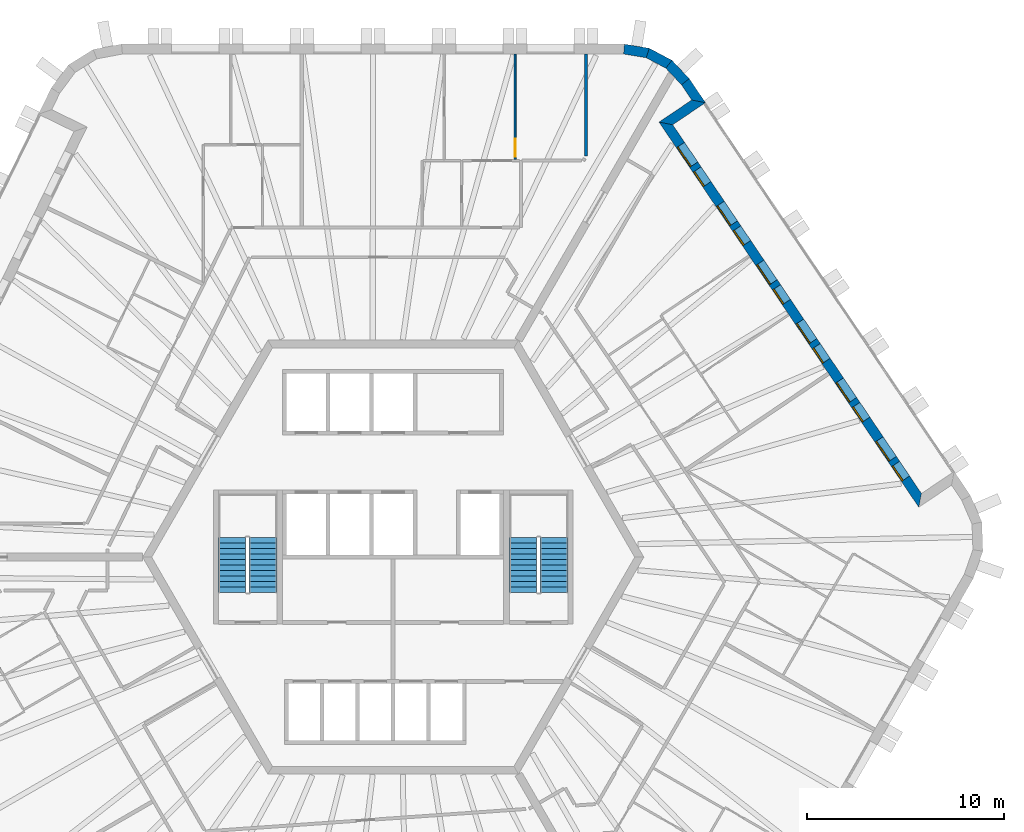
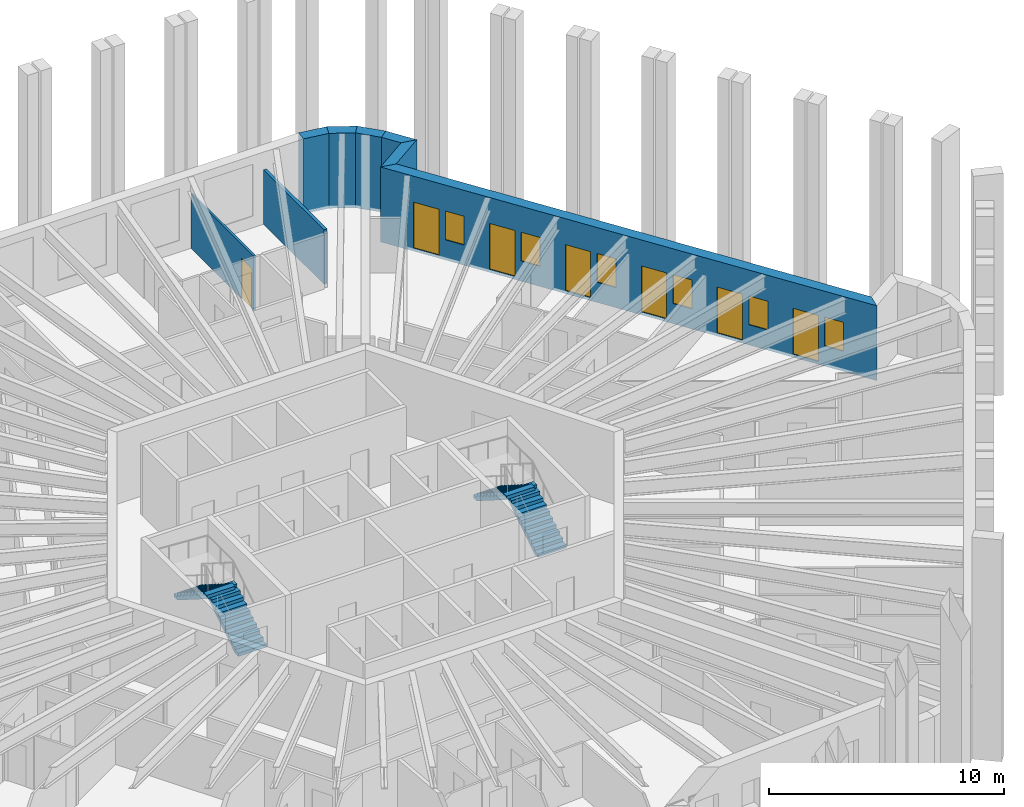
# One storey, part 11 of 13: 8 walls, 7 doors, 6 windows, 4 stair flights, 13 openings, 2 elements without a shape of their own.
"""IFC4 building model written with IfcOpenShell, lengths in metres."""

from ifc_helpers import new_model, si_unit, direction, frame, frame_2d, origin, place, context, subcontext, project, spatial, polyline, rectangle, outline, extrude, material, layer, layer_set, type_object, element, fill, aggregate, save


model = new_model("IFC4")

# Units and contexts
model_context = context("Model", 3, precision=1e-05, world=origin(), true_north=direction((0.0, 1.0)))
body_context = subcontext(model_context, "Body", "Model", "MODEL_VIEW")
ifc_project = project(units=[si_unit("LENGTHUNIT", "METRE"), si_unit("AREAUNIT", "SQUARE_METRE"), si_unit("VOLUMEUNIT", "CUBIC_METRE"), si_unit("PLANEANGLEUNIT", "RADIAN"), si_unit("MASSUNIT", "GRAM", prefix="KILO")], contexts=[model_context])

# Site, building, storey
site_placement = place(None, origin())
site = spatial("IfcSite", under=ifc_project, at=site_placement, CompositionType="ELEMENT")
building_placement = place(site_placement, origin())
building = spatial("IfcBuilding", under=site, at=building_placement, Name="Tarnside Tower", CompositionType="ELEMENT")
storey_placement = place(building_placement, frame((0.0, 0.0, 326.39990234375)))
storey = spatial("IfcBuildingStorey", under=building, at=storey_placement, Name="L79", CompositionType="ELEMENT", Elevation=326.39990234375)

# Wall
ifc_material_1 = material(Name="Gypsum board partition on steel studs", Category="steel")
ifc_layer_1 = layer(ifc_material_1, 0.14990234375)
ifc_layer_set_1 = layer_set([ifc_layer_1], Name="Corridor wall 150 EI 60")
wall_type_1 = type_object("IfcWallType", Name="Corridor wall 150 EI 60", PredefinedType="PARTITIONING", material=ifc_layer_set_1)
wall_1_placement = place(storey_placement, frame((9.775146484375, 25.5, 0.0), z_axis=(0.0, 0.0, 1.0), x_axis=(0.0, -1.0, 0.0)))
element("IfcWall", 1, at=wall_1_placement, inside=storey, type_object=wall_type_1, Name="Corridor wall 26005", PredefinedType="PARTITIONING", context=body_context, shape_type="SweptSolid", body=[
    extrude(rectangle(XDim=5.1689453125, YDim=0.14990234375, at=frame_2d((2.58447265625, 0.0))), origin(), (0.0, 0.0, 1.0), 2.837890625),
])

# Wall, openings, doors, windows
ifc_material_2 = material(Name="Dark zinc cladding")
ifc_layer_2 = layer(ifc_material_2, 0.10205078125)
ifc_material_3 = material(Name="Concrete C60/75 precast", Category="concrete")
ifc_layer_3 = layer(ifc_material_3, 0.298095703125)
ifc_material_4 = material(Name="Mineral wool insulation")
ifc_layer_4 = layer(ifc_material_4, 0.10009765625)
ifc_layer_set_2 = layer_set([ifc_layer_2, ifc_layer_3, ifc_layer_4], Name="Loggia wall 500 zinc faced")
wall_type_2 = type_object("IfcWallType", Name="Loggia wall 500 zinc faced", PredefinedType="SOLIDWALL", material=ifc_layer_set_2)
wall_2_placement = place(storey_placement, frame((26.705810546875, 2.87890625, -0.14990234375), z_axis=(0.0, 0.0, 1.0), x_axis=(-0.559197891507, 0.829034208061, 0.0)))
wall_2 = element("IfcWall", 2, at=wall_2_placement, inside=storey, type_object=wall_type_2, Name="Tube wall L79 F6 back 30", PredefinedType="SOLIDWALL", context=body_context, shape_type="SweptSolid", body=[
    extrude(outline(polyline([(0.25, -0.25), (22.794677734375, -0.25), (23.294677734375, 0.25), (-0.25, 0.25), (0.25, -0.25)])), origin(), (0.0, 0.0, 1.0), 3.89990234375),
])
opening_1_placement = place(wall_2_placement, frame((1.322509765625, 0.0, 1.050048828125)))
opening_1 = element("IfcOpeningElement", 3, at=opening_1_placement, cuts=wall_2, Name="Opening WL500", PredefinedType="OPENING", context=body_context, shape_type="SweptSolid", body=[
    extrude(rectangle(XDim=0.89990234375, YDim=1.5, at=frame_2d((0.449951171875, 0.75))), frame((0.0, 0.260009765625, 0.0), z_axis=(0.0, -1.0, 0.0), x_axis=(1.0, 0.0, 0.0)), (0.0, 0.0, 1.0), 0.52001953125),
])
opening_2_placement = place(wall_2_placement, frame((2.5224609375, 0.0, 0.14990234375)))
opening_2 = element("IfcOpeningElement", 4, at=opening_2_placement, cuts=wall_2, Name="Opening DB500", PredefinedType="OPENING", context=body_context, shape_type="SweptSolid", body=[
    extrude(rectangle(XDim=1.199951171875, YDim=2.39990234375, at=frame_2d((0.60009765625, 1.199951171875))), frame((0.0, 0.260009765625, 0.0), z_axis=(0.0, -1.0, 0.0), x_axis=(1.0, 0.0, 0.0)), (0.0, 0.0, 1.0), 0.52001953125),
])
opening_3_placement = place(wall_2_placement, frame((4.92236328125, 0.0, 1.050048828125)))
opening_3 = element("IfcOpeningElement", 5, at=opening_3_placement, cuts=wall_2, Name="Opening WL500", PredefinedType="OPENING", context=body_context, shape_type="SweptSolid", body=[
    extrude(rectangle(XDim=0.89990234375, YDim=1.5, at=frame_2d((0.449951171875, 0.75))), frame((0.0, 0.260009765625, 0.0), z_axis=(0.0, -1.0, 0.0), x_axis=(1.0, 0.0, 0.0)), (0.0, 0.0, 1.0), 0.52001953125),
])
opening_4_placement = place(wall_2_placement, frame((6.122314453125, 0.0, 0.14990234375)))
opening_4 = element("IfcOpeningElement", 6, at=opening_4_placement, cuts=wall_2, Name="Opening DB500", PredefinedType="OPENING", context=body_context, shape_type="SweptSolid", body=[
    extrude(rectangle(XDim=1.199951171875, YDim=2.39990234375, at=frame_2d((0.60009765625, 1.199951171875))), frame((0.0, 0.260009765625, 0.0), z_axis=(0.0, -1.0, 0.0), x_axis=(1.0, 0.0, 0.0)), (0.0, 0.0, 1.0), 0.52001953125),
])
opening_5_placement = place(wall_2_placement, frame((8.5224609375, 0.0, 1.050048828125)))
opening_5 = element("IfcOpeningElement", 7, at=opening_5_placement, cuts=wall_2, Name="Opening WL500", PredefinedType="OPENING", context=body_context, shape_type="SweptSolid", body=[
    extrude(rectangle(XDim=0.89990234375, YDim=1.5, at=frame_2d((0.449951171875, 0.75))), frame((0.0, 0.260009765625, 0.0), z_axis=(0.0, -1.0, 0.0), x_axis=(1.0, 0.0, 0.0)), (0.0, 0.0, 1.0), 0.52001953125),
])
opening_6_placement = place(wall_2_placement, frame((9.722412109375, 0.0, 0.14990234375)))
opening_6 = element("IfcOpeningElement", 8, at=opening_6_placement, cuts=wall_2, Name="Opening DB500", PredefinedType="OPENING", context=body_context, shape_type="SweptSolid", body=[
    extrude(rectangle(XDim=1.199951171875, YDim=2.39990234375, at=frame_2d((0.60009765625, 1.199951171875))), frame((0.0, 0.260009765625, 0.0), z_axis=(0.0, -1.0, 0.0), x_axis=(1.0, 0.0, 0.0)), (0.0, 0.0, 1.0), 0.52001953125),
])
opening_7_placement = place(wall_2_placement, frame((12.122314453125, 0.0, 1.050048828125)))
opening_7 = element("IfcOpeningElement", 9, at=opening_7_placement, cuts=wall_2, Name="Opening WL500", PredefinedType="OPENING", context=body_context, shape_type="SweptSolid", body=[
    extrude(rectangle(XDim=0.89990234375, YDim=1.5, at=frame_2d((0.449951171875, 0.75))), frame((0.0, 0.260009765625, 0.0), z_axis=(0.0, -1.0, 0.0), x_axis=(1.0, 0.0, 0.0)), (0.0, 0.0, 1.0), 0.52001953125),
])
opening_8_placement = place(wall_2_placement, frame((13.322509765625, 0.0, 0.14990234375)))
opening_8 = element("IfcOpeningElement", 10, at=opening_8_placement, cuts=wall_2, Name="Opening DB500", PredefinedType="OPENING", context=body_context, shape_type="SweptSolid", body=[
    extrude(rectangle(XDim=1.199951171875, YDim=2.39990234375, at=frame_2d((0.60009765625, 1.199951171875))), frame((0.0, 0.260009765625, 0.0), z_axis=(0.0, -1.0, 0.0), x_axis=(1.0, 0.0, 0.0)), (0.0, 0.0, 1.0), 0.52001953125),
])
opening_9_placement = place(wall_2_placement, frame((15.722412109375, 0.0, 1.050048828125)))
opening_9 = element("IfcOpeningElement", 11, at=opening_9_placement, cuts=wall_2, Name="Opening WL500", PredefinedType="OPENING", context=body_context, shape_type="SweptSolid", body=[
    extrude(rectangle(XDim=0.89990234375, YDim=1.5, at=frame_2d((0.449951171875, 0.75))), frame((0.0, 0.260009765625, 0.0), z_axis=(0.0, -1.0, 0.0), x_axis=(1.0, 0.0, 0.0)), (0.0, 0.0, 1.0), 0.52001953125),
])
opening_10_placement = place(wall_2_placement, frame((16.92236328125, 0.0, 0.14990234375)))
opening_10 = element("IfcOpeningElement", 12, at=opening_10_placement, cuts=wall_2, Name="Opening DB500", PredefinedType="OPENING", context=body_context, shape_type="SweptSolid", body=[
    extrude(rectangle(XDim=1.199951171875, YDim=2.39990234375, at=frame_2d((0.60009765625, 1.199951171875))), frame((0.0, 0.260009765625, 0.0), z_axis=(0.0, -1.0, 0.0), x_axis=(1.0, 0.0, 0.0)), (0.0, 0.0, 1.0), 0.52001953125),
])
opening_11_placement = place(wall_2_placement, frame((19.322509765625, 0.0, 1.050048828125)))
opening_11 = element("IfcOpeningElement", 13, at=opening_11_placement, cuts=wall_2, Name="Opening WL500", PredefinedType="OPENING", context=body_context, shape_type="SweptSolid", body=[
    extrude(rectangle(XDim=0.89990234375, YDim=1.5, at=frame_2d((0.449951171875, 0.75))), frame((0.0, 0.260009765625, 0.0), z_axis=(0.0, -1.0, 0.0), x_axis=(1.0, 0.0, 0.0)), (0.0, 0.0, 1.0), 0.52001953125),
])
opening_12_placement = place(wall_2_placement, frame((20.5224609375, 0.0, 0.14990234375)))
opening_12 = element("IfcOpeningElement", 14, at=opening_12_placement, cuts=wall_2, Name="Opening DB500", PredefinedType="OPENING", context=body_context, shape_type="SweptSolid", body=[
    extrude(rectangle(XDim=1.199951171875, YDim=2.39990234375, at=frame_2d((0.60009765625, 1.199951171875))), frame((0.0, 0.260009765625, 0.0), z_axis=(0.0, -1.0, 0.0), x_axis=(1.0, 0.0, 0.0)), (0.0, 0.0, 1.0), 0.52001953125),
])
ifc_material_5 = material(Name="Aluminium-framed double glazing", Category="aluminium")
door_type_1 = type_object("IfcDoorType", Name="Balcony sliding door 1200 x 2400 in 500 wall", OperationType="SLIDING_TO_LEFT", PredefinedType="DOOR", material=ifc_material_5)
door_1_placement = place(opening_2_placement, frame((0.0, 0.1748046875, 0.0)))
door_1 = element("IfcDoor", 15, at=door_1_placement, inside=storey, type_object=door_type_1, Name="E.BD.L79.F6.00", OperationType="SLIDING_TO_LEFT", OverallHeight=2.39990234375, OverallWidth=1.199951171875, PredefinedType="DOOR", context=body_context, shape_type="SweptSolid", body=[
    extrude(rectangle(XDim=1.199951171875, YDim=2.39990234375, at=frame_2d((0.60009765625, 1.199951171875))), frame((0.0, 0.02490234375, 0.0), z_axis=(0.0, -1.0, 0.0), x_axis=(1.0, 0.0, 0.0)), (0.0, 0.0, 1.0), 0.050048828125),
])
fill(opening_2, door_1)
door_2_placement = place(opening_4_placement, frame((0.0, 0.1748046875, 0.0)))
door_2 = element("IfcDoor", 16, at=door_2_placement, inside=storey, type_object=door_type_1, Name="E.BD.L79.F6.01", OperationType="SLIDING_TO_LEFT", OverallHeight=2.39990234375, OverallWidth=1.199951171875, PredefinedType="DOOR", context=body_context, shape_type="SweptSolid", body=[
    extrude(rectangle(XDim=1.199951171875, YDim=2.39990234375, at=frame_2d((0.60009765625, 1.199951171875))), frame((0.0, 0.02490234375, 0.0), z_axis=(0.0, -1.0, 0.0), x_axis=(1.0, 0.0, 0.0)), (0.0, 0.0, 1.0), 0.050048828125),
])
fill(opening_4, door_2)
door_3_placement = place(opening_6_placement, frame((0.0, 0.1748046875, 0.0)))
door_3 = element("IfcDoor", 17, at=door_3_placement, inside=storey, type_object=door_type_1, Name="E.BD.L79.F6.02", OperationType="SLIDING_TO_LEFT", OverallHeight=2.39990234375, OverallWidth=1.199951171875, PredefinedType="DOOR", context=body_context, shape_type="SweptSolid", body=[
    extrude(rectangle(XDim=1.199951171875, YDim=2.39990234375, at=frame_2d((0.60009765625, 1.199951171875))), frame((0.0, 0.02490234375, 0.0), z_axis=(0.0, -1.0, 0.0), x_axis=(1.0, 0.0, 0.0)), (0.0, 0.0, 1.0), 0.050048828125),
])
fill(opening_6, door_3)
door_4_placement = place(opening_8_placement, frame((0.0, 0.1748046875, 0.0)))
door_4 = element("IfcDoor", 18, at=door_4_placement, inside=storey, type_object=door_type_1, Name="E.BD.L79.F6.03", OperationType="SLIDING_TO_LEFT", OverallHeight=2.39990234375, OverallWidth=1.199951171875, PredefinedType="DOOR", context=body_context, shape_type="SweptSolid", body=[
    extrude(rectangle(XDim=1.199951171875, YDim=2.39990234375, at=frame_2d((0.60009765625, 1.199951171875))), frame((0.0, 0.02490234375, 0.0), z_axis=(0.0, -1.0, 0.0), x_axis=(1.0, 0.0, 0.0)), (0.0, 0.0, 1.0), 0.050048828125),
])
fill(opening_8, door_4)
door_5_placement = place(opening_10_placement, frame((0.0, 0.1748046875, 0.0)))
door_5 = element("IfcDoor", 19, at=door_5_placement, inside=storey, type_object=door_type_1, Name="E.BD.L79.F6.04", OperationType="SLIDING_TO_LEFT", OverallHeight=2.39990234375, OverallWidth=1.199951171875, PredefinedType="DOOR", context=body_context, shape_type="SweptSolid", body=[
    extrude(rectangle(XDim=1.199951171875, YDim=2.39990234375, at=frame_2d((0.60009765625, 1.199951171875))), frame((0.0, 0.02490234375, 0.0), z_axis=(0.0, -1.0, 0.0), x_axis=(1.0, 0.0, 0.0)), (0.0, 0.0, 1.0), 0.050048828125),
])
fill(opening_10, door_5)
door_6_placement = place(opening_12_placement, frame((0.0, 0.1748046875, 0.0)))
door_6 = element("IfcDoor", 20, at=door_6_placement, inside=storey, type_object=door_type_1, Name="E.BD.L79.F6.05", OperationType="SLIDING_TO_LEFT", OverallHeight=2.39990234375, OverallWidth=1.199951171875, PredefinedType="DOOR", context=body_context, shape_type="SweptSolid", body=[
    extrude(rectangle(XDim=1.199951171875, YDim=2.39990234375, at=frame_2d((0.60009765625, 1.199951171875))), frame((0.0, 0.02490234375, 0.0), z_axis=(0.0, -1.0, 0.0), x_axis=(1.0, 0.0, 0.0)), (0.0, 0.0, 1.0), 0.050048828125),
])
fill(opening_12, door_6)
window_type = type_object("IfcWindowType", Name="Loggia window 900 x 1500 in 500 wall", PartitioningType="SINGLE_PANEL", PredefinedType="WINDOW", material=ifc_material_5)
window_1_placement = place(opening_1_placement, frame((0.0, 0.179931640625, 0.0)))
window_1 = element("IfcWindow", 21, at=window_1_placement, inside=storey, type_object=window_type, Name="E.LW.L79.F6.00", OverallHeight=1.5, OverallWidth=0.89990234375, PartitioningType="SINGLE_PANEL", PredefinedType="WINDOW", context=body_context, shape_type="SweptSolid", body=[
    extrude(rectangle(XDim=0.89990234375, YDim=1.5, at=frame_2d((0.449951171875, 0.75))), frame((0.0, 0.030029296875, 0.0), z_axis=(0.0, -1.0, 0.0), x_axis=(1.0, 0.0, 0.0)), (0.0, 0.0, 1.0), 0.06005859375),
])
fill(opening_1, window_1)
window_2_placement = place(opening_3_placement, frame((0.0, 0.179931640625, 0.0)))
window_2 = element("IfcWindow", 22, at=window_2_placement, inside=storey, type_object=window_type, Name="E.LW.L79.F6.01", OverallHeight=1.5, OverallWidth=0.89990234375, PartitioningType="SINGLE_PANEL", PredefinedType="WINDOW", context=body_context, shape_type="SweptSolid", body=[
    extrude(rectangle(XDim=0.89990234375, YDim=1.5, at=frame_2d((0.449951171875, 0.75))), frame((0.0, 0.030029296875, 0.0), z_axis=(0.0, -1.0, 0.0), x_axis=(1.0, 0.0, 0.0)), (0.0, 0.0, 1.0), 0.06005859375),
])
fill(opening_3, window_2)
window_3_placement = place(opening_5_placement, frame((0.0, 0.179931640625, 0.0)))
window_3 = element("IfcWindow", 23, at=window_3_placement, inside=storey, type_object=window_type, Name="E.LW.L79.F6.02", OverallHeight=1.5, OverallWidth=0.89990234375, PartitioningType="SINGLE_PANEL", PredefinedType="WINDOW", context=body_context, shape_type="SweptSolid", body=[
    extrude(rectangle(XDim=0.89990234375, YDim=1.5, at=frame_2d((0.449951171875, 0.75))), frame((0.0, 0.030029296875, 0.0), z_axis=(0.0, -1.0, 0.0), x_axis=(1.0, 0.0, 0.0)), (0.0, 0.0, 1.0), 0.06005859375),
])
fill(opening_5, window_3)
window_4_placement = place(opening_7_placement, frame((0.0, 0.179931640625, 0.0)))
window_4 = element("IfcWindow", 24, at=window_4_placement, inside=storey, type_object=window_type, Name="E.LW.L79.F6.03", OverallHeight=1.5, OverallWidth=0.89990234375, PartitioningType="SINGLE_PANEL", PredefinedType="WINDOW", context=body_context, shape_type="SweptSolid", body=[
    extrude(rectangle(XDim=0.89990234375, YDim=1.5, at=frame_2d((0.449951171875, 0.75))), frame((0.0, 0.030029296875, 0.0), z_axis=(0.0, -1.0, 0.0), x_axis=(1.0, 0.0, 0.0)), (0.0, 0.0, 1.0), 0.06005859375),
])
fill(opening_7, window_4)
window_5_placement = place(opening_9_placement, frame((0.0, 0.179931640625, 0.0)))
window_5 = element("IfcWindow", 25, at=window_5_placement, inside=storey, type_object=window_type, Name="E.LW.L79.F6.04", OverallHeight=1.5, OverallWidth=0.89990234375, PartitioningType="SINGLE_PANEL", PredefinedType="WINDOW", context=body_context, shape_type="SweptSolid", body=[
    extrude(rectangle(XDim=0.89990234375, YDim=1.5, at=frame_2d((0.449951171875, 0.75))), frame((0.0, 0.030029296875, 0.0), z_axis=(0.0, -1.0, 0.0), x_axis=(1.0, 0.0, 0.0)), (0.0, 0.0, 1.0), 0.06005859375),
])
fill(opening_9, window_5)
window_6_placement = place(opening_11_placement, frame((0.0, 0.179931640625, 0.0)))
window_6 = element("IfcWindow", 26, at=window_6_placement, inside=storey, type_object=window_type, Name="E.LW.L79.F6.05", OverallHeight=1.5, OverallWidth=0.89990234375, PartitioningType="SINGLE_PANEL", PredefinedType="WINDOW", context=body_context, shape_type="SweptSolid", body=[
    extrude(rectangle(XDim=0.89990234375, YDim=1.5, at=frame_2d((0.449951171875, 0.75))), frame((0.0, 0.030029296875, 0.0), z_axis=(0.0, -1.0, 0.0), x_axis=(1.0, 0.0, 0.0)), (0.0, 0.0, 1.0), 0.06005859375),
])
fill(opening_11, window_6)

# Walls
wall_3_placement = place(storey_placement, frame((13.8193359375, 21.983642578125, -0.14990234375), z_axis=(0.0, 0.0, 1.0), x_axis=(0.829052389485, 0.559170935841, 0.0)))
element("IfcWall", 27, at=wall_3_placement, inside=storey, type_object=wall_type_2, Name="Tube wall L79 F6 return 31", PredefinedType="SOLIDWALL", context=body_context, shape_type="SweptSolid", body=[
    extrude(outline(polyline([(0.25, -0.25), (2.25, -0.25), (1.75, 0.25), (-0.25, 0.25), (0.25, -0.25)])), origin(), (0.0, 0.0, 1.0), 3.89990234375),
])
wall_4_placement = place(storey_placement, frame((15.4775390625, 23.10205078125, -0.14990234375), z_axis=(0.0, 0.0, 1.0), x_axis=(-0.559245726333, 0.829001940636, 0.0)))
element("IfcWall", 28, at=wall_4_placement, inside=storey, type_object=wall_type_2, Name="Tube wall L79 F6 stub 32", PredefinedType="SOLIDWALL", context=body_context, shape_type="SweptSolid", body=[
    extrude(outline(polyline([(-0.25, -0.25), (1.220703125, -0.25), (1.1796875, 0.25), (0.25, 0.25), (-0.25, -0.25)])), origin(), (0.0, 0.0, 1.0), 3.89990234375),
])

# Wall, opening, door
ifc_layer_5 = layer(ifc_material_1, 0.10009765625)
ifc_layer_set_3 = layer_set([ifc_layer_5], Name="Partition 100")
wall_type_3 = type_object("IfcWallType", Name="Partition 100", PredefinedType="PARTITIONING", material=ifc_layer_set_3)
wall_5_placement = place(storey_placement, frame((6.17529296875, 25.5, 0.0), z_axis=(0.0, 0.0, 1.0), x_axis=(0.0, -1.0, 0.0)))
wall_5 = element("IfcWall", 29, at=wall_5_placement, inside=storey, type_object=wall_type_3, Name="Partition wall 26093", PredefinedType="PARTITIONING", context=body_context, shape_type="SweptSolid", body=[
    extrude(rectangle(XDim=5.35009765625, YDim=0.10009765625, at=frame_2d((2.675048828125, 0.0))), origin(), (0.0, 0.0, 1.0), 2.837890625),
])
opening_13_placement = place(wall_5_placement, frame((4.300048828125, 0.0, 0.0)))
opening_13 = element("IfcOpeningElement", 30, at=opening_13_placement, cuts=wall_5, Name="Opening D-I1", PredefinedType="OPENING", context=body_context, shape_type="SweptSolid", body=[
    extrude(rectangle(XDim=0.89990234375, YDim=2.10009765625, at=frame_2d((0.449951171875, 1.050048828125))), frame((0.0, 0.06005859375, 0.0), z_axis=(0.0, -1.0, 0.0), x_axis=(1.0, 0.0, 0.0)), (0.0, 0.0, 1.0), 0.1201171875),
])
ifc_material_6 = material(Name="Timber door leaf", Category="wood")
door_type_2 = type_object("IfcDoorType", Name="Internal door 900", OperationType="NOTDEFINED", PredefinedType="DOOR", material=ifc_material_6)
door_7_placement = place(opening_13_placement, origin())
door_7 = element("IfcDoor", 31, at=door_7_placement, inside=storey, type_object=door_type_2, Name="Internal door 26008", OperationType="SINGLE_SWING_RIGHT", OverallHeight=2.10009765625, OverallWidth=0.89990234375, PredefinedType="DOOR", context=body_context, shape_type="SweptSolid", body=[
    extrude(rectangle(XDim=0.89990234375, YDim=2.10009765625, at=frame_2d((0.449951171875, 1.050048828125))), frame((0.0, 0.02490234375, 0.0), z_axis=(0.0, -1.0, 0.0), x_axis=(1.0, 0.0, 0.0)), (0.0, 0.0, 1.0), 0.050048828125),
])
fill(opening_13, door_7)

# Walls
ifc_material_7 = material(Name="Facing brick", Category="masonry")
ifc_layer_6 = layer(ifc_material_7, 0.10205078125)
ifc_layer_7 = layer(ifc_material_3, 0.298095703125)
ifc_layer_8 = layer(ifc_material_4, 0.10009765625)
ifc_layer_set_4 = layer_set([ifc_layer_6, ifc_layer_7, ifc_layer_8], Name="Tube wall 500 brick faced")
wall_type_4 = type_object("IfcWallType", Name="Tube wall 500 brick faced", PredefinedType="SOLIDWALL", material=ifc_layer_set_4)
wall_6_placement = place(storey_placement, frame((14.806396484375, 24.096923828125, -0.14990234375), z_axis=(0.0, 0.0, 1.0), x_axis=(-0.686234452793, 0.727380420275, 0.0)))
element("IfcWall", 32, at=wall_6_placement, inside=storey, type_object=wall_type_4, Name="Tube wall L79 F6 chord 33", PredefinedType="SOLIDWALL", context=body_context, shape_type="SweptSolid", body=[
    extrude(outline(polyline([(-0.0205078125, -0.25), (1.25732421875, -0.25), (1.17529296875, 0.25), (0.0205078125, 0.25), (-0.0205078125, -0.25)])), origin(), (0.0, 0.0, 1.0), 3.89990234375),
])
wall_7_placement = place(storey_placement, frame((13.9716796875, 24.981689453125, -0.14990234375), z_axis=(0.0, 0.0, 1.0), x_axis=(-0.882902492938, 0.469556373575, 0.0)))
element("IfcWall", 33, at=wall_7_placement, inside=storey, type_object=wall_type_4, Name="Tube wall L79 F6 chord 34", PredefinedType="SOLIDWALL", context=body_context, shape_type="SweptSolid", body=[
    extrude(outline(polyline([(-0.041015625, -0.25), (1.257080078125, -0.25), (1.175048828125, 0.25), (0.041015625, 0.25), (-0.041015625, -0.25)])), origin(), (0.0, 0.0, 1.0), 3.89990234375),
])
wall_8_placement = place(storey_placement, frame((12.89794921875, 25.552734375, -0.14990234375), z_axis=(0.0, 0.0, 1.0), x_axis=(-0.986765617372, 0.16215306464, 0.0)))
element("IfcWall", 34, at=wall_8_placement, inside=storey, type_object=wall_type_4, Name="Tube wall L79 F6 chord 35", PredefinedType="SOLIDWALL", context=body_context, shape_type="SweptSolid", body=[
    extrude(outline(polyline([(-0.041015625, -0.25), (1.237060546875, -0.25), (1.196044921875, 0.25), (0.041015625, 0.25), (-0.041015625, -0.25)])), origin(), (0.0, 0.0, 1.0), 3.89990234375),
])

# Stair, stair flights
ifc_material_8 = material(Name="Concrete C40/50", Category="concrete")
stair_type = type_object("IfcStairType", Name="Exit stair 1400 clear", PredefinedType="HALF_TURN_STAIR", material=ifc_material_8)
stair_1_placement = place(storey_placement, origin())
stair_1 = element("IfcStair", 35, at=stair_1_placement, inside=storey, type_object=stair_type, Name="L79 Exit stair 1", PredefinedType="HALF_TURN_STAIR")
stair_flight_type = type_object("IfcStairFlightType", Name="Exit stair flight 1400", PredefinedType="STRAIGHT", material=ifc_material_8)
stair_flight_1_placement = place(storey_placement, frame((8.14990234375, -1.800048828125, 0.0), z_axis=(0.0, 0.0, 1.0), x_axis=(0.0, 1.0, 0.0)))
stair_flight_1 = element("IfcStairFlight", 36, at=stair_flight_1_placement, type_object=stair_flight_type, Name="ST1 flight 1", NumberOfRisers=11, NumberOfTreads=10, PredefinedType="STRAIGHT", RiserHeight=0.177272727, TreadLength=0.28, context=body_context, shape_type="SweptSolid", body=[
    extrude(outline(polyline([(0.0, 0.0), (0.0, 0.17724609375), (0.280029296875, 0.17724609375), (0.280029296875, 0.3544921875), (0.56005859375, 0.3544921875), (0.56005859375, 0.53173828125), (0.840087890625, 0.53173828125), (0.840087890625, 0.708984375), (1.1201171875, 0.708984375), (1.1201171875, 0.886474609375), (1.39990234375, 0.886474609375), (1.39990234375, 1.063720703125), (1.679931640625, 1.063720703125), (1.679931640625, 1.240966796875), (1.9599609375, 1.240966796875), (1.9599609375, 1.418212890625), (2.239990234375, 1.418212890625), (2.239990234375, 1.595458984375), (2.52001953125, 1.595458984375), (2.52001953125, 1.772705078125), (2.800048828125, 1.772705078125), (2.800048828125, 1.949951171875), (2.800048828125, 1.59521484375), (0.2802734375, 0.0), (0.0, 0.0)])), frame((0.0, 0.699951171875, 0.0), z_axis=(0.0, -1.0, 0.0), x_axis=(1.0, 0.0, 0.0)), (0.0, 0.0, 1.0), 1.39990234375),
])
stair_flight_2_placement = place(storey_placement, frame((6.60009765625, 1.0, 1.9501953125), z_axis=(0.0, 0.0, 1.0), x_axis=(0.0, -1.0, 0.0)))
stair_flight_2 = element("IfcStairFlight", 37, at=stair_flight_2_placement, type_object=stair_flight_type, Name="ST1 flight 2", NumberOfRisers=11, NumberOfTreads=10, PredefinedType="STRAIGHT", RiserHeight=0.177272727, TreadLength=0.28, context=body_context, shape_type="SweptSolid", body=[
    extrude(outline(polyline([(0.0, 0.0), (0.0, 0.17724609375), (0.280029296875, 0.17724609375), (0.280029296875, 0.3544921875), (0.56005859375, 0.3544921875), (0.56005859375, 0.53173828125), (0.840087890625, 0.53173828125), (0.840087890625, 0.708984375), (1.1201171875, 0.708984375), (1.1201171875, 0.886474609375), (1.39990234375, 0.886474609375), (1.39990234375, 1.063720703125), (1.679931640625, 1.063720703125), (1.679931640625, 1.240966796875), (1.9599609375, 1.240966796875), (1.9599609375, 1.418212890625), (2.239990234375, 1.418212890625), (2.239990234375, 1.595458984375), (2.52001953125, 1.595458984375), (2.52001953125, 1.772705078125), (2.800048828125, 1.772705078125), (2.800048828125, 1.949951171875), (2.800048828125, 1.59521484375), (0.2802734375, 0.0), (0.0, 0.0)])), frame((0.0, 0.699951171875, 0.0), z_axis=(0.0, -1.0, 0.0), x_axis=(1.0, 0.0, 0.0)), (0.0, 0.0, 1.0), 1.39990234375),
])
aggregate(stair_1, [stair_flight_1, stair_flight_2])

stair_2_placement = place(storey_placement, origin())
stair_2 = element("IfcStair", 38, at=stair_2_placement, inside=storey, type_object=stair_type, Name="L79 Exit stair 2", PredefinedType="HALF_TURN_STAIR")
stair_flight_3_placement = place(storey_placement, frame((-6.60009765625, -1.800048828125, 0.0), z_axis=(0.0, 0.0, 1.0), x_axis=(0.0, 1.0, 0.0)))
stair_flight_3 = element("IfcStairFlight", 39, at=stair_flight_3_placement, type_object=stair_flight_type, Name="ST2 flight 1", NumberOfRisers=11, NumberOfTreads=10, PredefinedType="STRAIGHT", RiserHeight=0.177272727, TreadLength=0.28, context=body_context, shape_type="SweptSolid", body=[
    extrude(outline(polyline([(0.0, 0.0), (0.0, 0.17724609375), (0.280029296875, 0.17724609375), (0.280029296875, 0.3544921875), (0.56005859375, 0.3544921875), (0.56005859375, 0.53173828125), (0.840087890625, 0.53173828125), (0.840087890625, 0.708984375), (1.1201171875, 0.708984375), (1.1201171875, 0.886474609375), (1.39990234375, 0.886474609375), (1.39990234375, 1.063720703125), (1.679931640625, 1.063720703125), (1.679931640625, 1.240966796875), (1.9599609375, 1.240966796875), (1.9599609375, 1.418212890625), (2.239990234375, 1.418212890625), (2.239990234375, 1.595458984375), (2.52001953125, 1.595458984375), (2.52001953125, 1.772705078125), (2.800048828125, 1.772705078125), (2.800048828125, 1.949951171875), (2.800048828125, 1.59521484375), (0.2802734375, 0.0), (0.0, 0.0)])), frame((0.0, 0.699951171875, 0.0), z_axis=(0.0, -1.0, 0.0), x_axis=(1.0, 0.0, 0.0)), (0.0, 0.0, 1.0), 1.39990234375),
])
stair_flight_4_placement = place(storey_placement, frame((-8.14990234375, 1.0, 1.9501953125), z_axis=(0.0, 0.0, 1.0), x_axis=(0.0, -1.0, 0.0)))
stair_flight_4 = element("IfcStairFlight", 40, at=stair_flight_4_placement, type_object=stair_flight_type, Name="ST2 flight 2", NumberOfRisers=11, NumberOfTreads=10, PredefinedType="STRAIGHT", RiserHeight=0.177272727, TreadLength=0.28, context=body_context, shape_type="SweptSolid", body=[
    extrude(outline(polyline([(0.0, 0.0), (0.0, 0.17724609375), (0.280029296875, 0.17724609375), (0.280029296875, 0.3544921875), (0.56005859375, 0.3544921875), (0.56005859375, 0.53173828125), (0.840087890625, 0.53173828125), (0.840087890625, 0.708984375), (1.1201171875, 0.708984375), (1.1201171875, 0.886474609375), (1.39990234375, 0.886474609375), (1.39990234375, 1.063720703125), (1.679931640625, 1.063720703125), (1.679931640625, 1.240966796875), (1.9599609375, 1.240966796875), (1.9599609375, 1.418212890625), (2.239990234375, 1.418212890625), (2.239990234375, 1.595458984375), (2.52001953125, 1.595458984375), (2.52001953125, 1.772705078125), (2.800048828125, 1.772705078125), (2.800048828125, 1.949951171875), (2.800048828125, 1.59521484375), (0.2802734375, 0.0), (0.0, 0.0)])), frame((0.0, 0.699951171875, 0.0), z_axis=(0.0, -1.0, 0.0), x_axis=(1.0, 0.0, 0.0)), (0.0, 0.0, 1.0), 1.39990234375),
])
aggregate(stair_2, [stair_flight_3, stair_flight_4])

save(model, "model.ifc")
